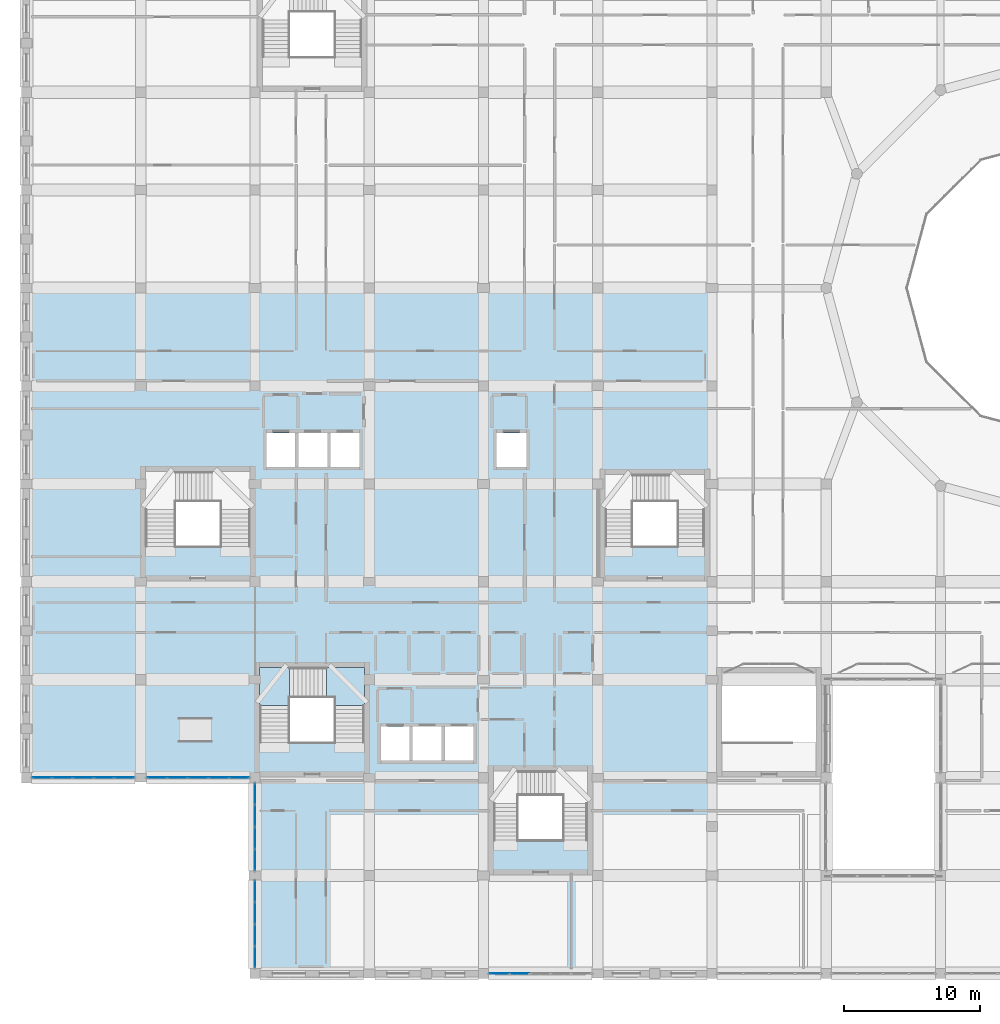
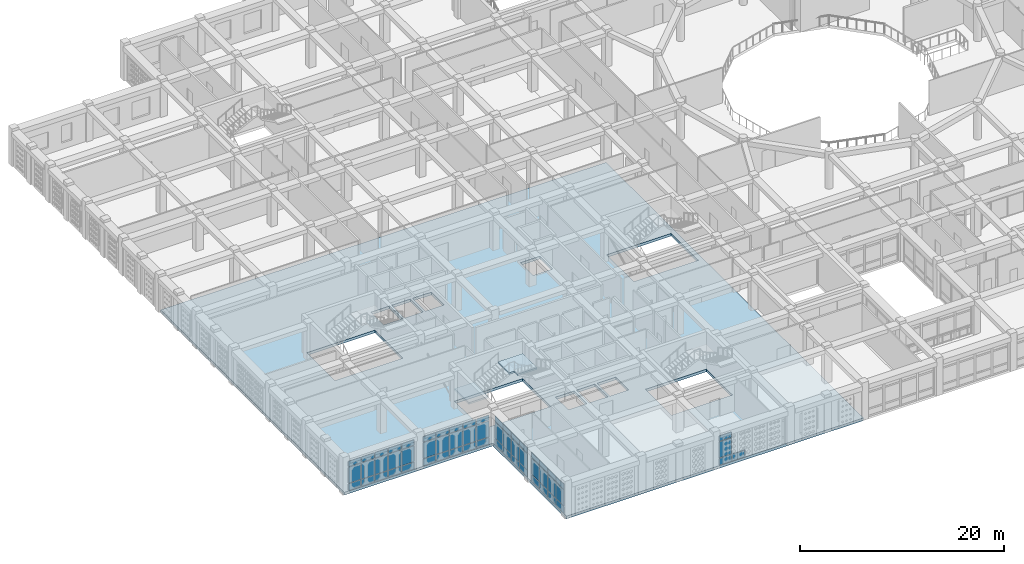
# One storey, part 62 of 121: 58 plates, 3 slabs, 6 elements without a shape of their own.
"""IFC4 building model written with IfcOpenShell, lengths in metres."""

from ifc_helpers import new_model, si_unit, derived_unit, direction, frame, origin, origin_2d, place, context, subcontext, project, spatial, polyline, rectangle, outline, extrude, material, layer, layer_set, type_object, element, aggregate, save


model = new_model("IFC4")

# Units and contexts
model_context = context("Model", 3, precision=1e-05, world=origin(), true_north=direction((0.0, 1.0)))
body_context = subcontext(model_context, "Body", "Model", "MODEL_VIEW")
ifc_project = project(units=[si_unit("LENGTHUNIT", "METRE"), si_unit("AREAUNIT", "SQUARE_METRE"), si_unit("VOLUMEUNIT", "CUBIC_METRE"), si_unit("PLANEANGLEUNIT", "RADIAN"), si_unit("MASSUNIT", "GRAM", prefix="KILO"), derived_unit("THERMALTRANSMITTANCEUNIT", [(si_unit("POWERUNIT", "WATT"), 1), (si_unit("LENGTHUNIT", "METRE"), -2), (si_unit("THERMODYNAMICTEMPERATUREUNIT", "KELVIN"), -1)])], contexts=[model_context])

# Site, building, storey
site_placement = place(None, origin())
site = spatial("IfcSite", under=ifc_project, at=site_placement, CompositionType="ELEMENT")
building_placement = place(site_placement, origin())
building = spatial("IfcBuilding", under=site, at=building_placement, Name="Veybourne Emporium", CompositionType="ELEMENT")
storey_placement = place(building_placement, frame((0.0, 0.0, 5.39990234375)))
storey = spatial("IfcBuildingStorey", under=building, at=storey_placement, Name="L01", CompositionType="ELEMENT", Elevation=5.39990234375)

# Curtain wall, plates
ifc_material_1 = material(Name="Patinated Architectural Bronze", Category="bronze")
curtain_wall_type_1 = type_object("IfcCurtainWallType", Name="CWSystem_CWS-26", PredefinedType="NOTDEFINED", material=ifc_material_1)
curtain_wall_1_placement = place(storey_placement, origin())
curtain_wall_1 = element("IfcCurtainWall", 1, at=curtain_wall_1_placement, inside=storey, type_object=curtain_wall_type_1, Name="L01 bronze glazed curtain wall CWS-26 (001)", PredefinedType="NOTDEFINED")
ifc_material_2 = material(Name="Low-E Triple Glazing", Category="glass")
ifc_layer_1 = layer(ifc_material_2, 0.028076171875)
ifc_layer_set_1 = layer_set([ifc_layer_1], Name="Low-E Triple Glazing")
plate_type = type_object("IfcPlateType", Name="CWPanel_CW-P1", PredefinedType="CURTAIN_PANEL", material=ifc_layer_set_1)
plate_1_placement = place(storey_placement, frame((7.1962890625, 14.39990234375, 0.074951171875), z_axis=(0.0, 0.0, 1.0), x_axis=(-1.0, 0.0, 0.0)))
plate_1 = element("IfcPlate", 2, at=plate_1_placement, type_object=plate_type, Name="CWS-26 panel 1.1", PredefinedType="CURTAIN_PANEL", context=body_context, shape_type="SweptSolid", body=[
    extrude(rectangle(XDim=1.407470703125, YDim=0.028076171875, at=origin_2d()), origin(), (0.0, 0.0, 1.0), 0.78759765625),
])
plate_2_placement = place(storey_placement, frame((7.1962890625, 14.39990234375, 0.9375), z_axis=(0.0, 0.0, 1.0), x_axis=(-1.0, 0.0, 0.0)))
plate_2 = element("IfcPlate", 3, at=plate_2_placement, type_object=plate_type, Name="CWS-26 panel 1.2", PredefinedType="CURTAIN_PANEL", context=body_context, shape_type="SweptSolid", body=[
    extrude(rectangle(XDim=1.407470703125, YDim=0.028076171875, at=origin_2d()), origin(), (0.0, 0.0, 1.0), 1.905029296875),
])
plate_3_placement = place(storey_placement, frame((7.1962890625, 14.39990234375, 2.91748046875), z_axis=(0.0, 0.0, 1.0), x_axis=(-1.0, 0.0, 0.0)))
plate_3 = element("IfcPlate", 4, at=plate_3_placement, type_object=plate_type, Name="CWS-26 panel 1.3", PredefinedType="CURTAIN_PANEL", context=body_context, shape_type="SweptSolid", body=[
    extrude(rectangle(XDim=1.407470703125, YDim=0.028076171875, at=origin_2d()), origin(), (0.0, 0.0, 1.0), 0.637451171875),
])
plate_4_placement = place(storey_placement, frame((5.695068359375, 14.39990234375, 0.074951171875), z_axis=(0.0, 0.0, 1.0), x_axis=(-1.0, 0.0, 0.0)))
plate_4 = element("IfcPlate", 5, at=plate_4_placement, type_object=plate_type, Name="CWS-26 panel 2.1", PredefinedType="CURTAIN_PANEL", context=body_context, shape_type="SweptSolid", body=[
    extrude(rectangle(XDim=1.445068359375, YDim=0.028076171875, at=origin_2d()), origin(), (0.0, 0.0, 1.0), 0.78759765625),
])
plate_5_placement = place(storey_placement, frame((5.695068359375, 14.39990234375, 0.9375), z_axis=(0.0, 0.0, 1.0), x_axis=(-1.0, 0.0, 0.0)))
plate_5 = element("IfcPlate", 6, at=plate_5_placement, type_object=plate_type, Name="CWS-26 panel 2.2", PredefinedType="CURTAIN_PANEL", context=body_context, shape_type="SweptSolid", body=[
    extrude(rectangle(XDim=1.445068359375, YDim=0.028076171875, at=origin_2d()), origin(), (0.0, 0.0, 1.0), 1.905029296875),
])
plate_6_placement = place(storey_placement, frame((5.695068359375, 14.39990234375, 2.91748046875), z_axis=(0.0, 0.0, 1.0), x_axis=(-1.0, 0.0, 0.0)))
plate_6 = element("IfcPlate", 7, at=plate_6_placement, type_object=plate_type, Name="CWS-26 panel 2.3", PredefinedType="CURTAIN_PANEL", context=body_context, shape_type="SweptSolid", body=[
    extrude(rectangle(XDim=1.445068359375, YDim=0.028076171875, at=origin_2d()), origin(), (0.0, 0.0, 1.0), 0.637451171875),
])
plate_7_placement = place(storey_placement, frame((4.175048828125, 14.39990234375, 0.074951171875), z_axis=(0.0, 0.0, 1.0), x_axis=(-1.0, 0.0, 0.0)))
plate_7 = element("IfcPlate", 8, at=plate_7_placement, type_object=plate_type, Name="CWS-26 panel 3.1", PredefinedType="CURTAIN_PANEL", context=body_context, shape_type="SweptSolid", body=[
    extrude(rectangle(XDim=1.445068359375, YDim=0.028076171875, at=origin_2d()), origin(), (0.0, 0.0, 1.0), 0.78759765625),
])
plate_8_placement = place(storey_placement, frame((4.175048828125, 14.39990234375, 0.9375), z_axis=(0.0, 0.0, 1.0), x_axis=(-1.0, 0.0, 0.0)))
plate_8 = element("IfcPlate", 9, at=plate_8_placement, type_object=plate_type, Name="CWS-26 panel 3.2", PredefinedType="CURTAIN_PANEL", context=body_context, shape_type="SweptSolid", body=[
    extrude(rectangle(XDim=1.445068359375, YDim=0.028076171875, at=origin_2d()), origin(), (0.0, 0.0, 1.0), 1.905029296875),
])
plate_9_placement = place(storey_placement, frame((4.175048828125, 14.39990234375, 2.91748046875), z_axis=(0.0, 0.0, 1.0), x_axis=(-1.0, 0.0, 0.0)))
plate_9 = element("IfcPlate", 10, at=plate_9_placement, type_object=plate_type, Name="CWS-26 panel 3.3", PredefinedType="CURTAIN_PANEL", context=body_context, shape_type="SweptSolid", body=[
    extrude(rectangle(XDim=1.445068359375, YDim=0.028076171875, at=origin_2d()), origin(), (0.0, 0.0, 1.0), 0.637451171875),
])
plate_10_placement = place(storey_placement, frame((2.655029296875, 14.39990234375, 0.074951171875), z_axis=(0.0, 0.0, 1.0), x_axis=(-1.0, 0.0, 0.0)))
plate_10 = element("IfcPlate", 11, at=plate_10_placement, type_object=plate_type, Name="CWS-26 panel 4.1", PredefinedType="CURTAIN_PANEL", context=body_context, shape_type="SweptSolid", body=[
    extrude(rectangle(XDim=1.445068359375, YDim=0.028076171875, at=origin_2d()), origin(), (0.0, 0.0, 1.0), 0.78759765625),
])
plate_11_placement = place(storey_placement, frame((2.655029296875, 14.39990234375, 0.9375), z_axis=(0.0, 0.0, 1.0), x_axis=(-1.0, 0.0, 0.0)))
plate_11 = element("IfcPlate", 12, at=plate_11_placement, type_object=plate_type, Name="CWS-26 panel 4.2", PredefinedType="CURTAIN_PANEL", context=body_context, shape_type="SweptSolid", body=[
    extrude(rectangle(XDim=1.445068359375, YDim=0.028076171875, at=origin_2d()), origin(), (0.0, 0.0, 1.0), 1.905029296875),
])
plate_12_placement = place(storey_placement, frame((2.655029296875, 14.39990234375, 2.91748046875), z_axis=(0.0, 0.0, 1.0), x_axis=(-1.0, 0.0, 0.0)))
plate_12 = element("IfcPlate", 13, at=plate_12_placement, type_object=plate_type, Name="CWS-26 panel 4.3", PredefinedType="CURTAIN_PANEL", context=body_context, shape_type="SweptSolid", body=[
    extrude(rectangle(XDim=1.445068359375, YDim=0.028076171875, at=origin_2d()), origin(), (0.0, 0.0, 1.0), 0.637451171875),
])
plate_13_placement = place(storey_placement, frame((1.15380859375, 14.39990234375, 0.074951171875), z_axis=(0.0, 0.0, 1.0), x_axis=(-1.0, 0.0, 0.0)))
plate_13 = element("IfcPlate", 14, at=plate_13_placement, type_object=plate_type, Name="CWS-26 panel 5.1", PredefinedType="CURTAIN_PANEL", context=body_context, shape_type="SweptSolid", body=[
    extrude(rectangle(XDim=1.407470703125, YDim=0.028076171875, at=origin_2d()), origin(), (0.0, 0.0, 1.0), 0.78759765625),
])
plate_14_placement = place(storey_placement, frame((1.15380859375, 14.39990234375, 0.9375), z_axis=(0.0, 0.0, 1.0), x_axis=(-1.0, 0.0, 0.0)))
plate_14 = element("IfcPlate", 15, at=plate_14_placement, type_object=plate_type, Name="CWS-26 panel 5.2", PredefinedType="CURTAIN_PANEL", context=body_context, shape_type="SweptSolid", body=[
    extrude(rectangle(XDim=1.407470703125, YDim=0.028076171875, at=origin_2d()), origin(), (0.0, 0.0, 1.0), 1.905029296875),
])
plate_15_placement = place(storey_placement, frame((1.15380859375, 14.39990234375, 2.91748046875), z_axis=(0.0, 0.0, 1.0), x_axis=(-1.0, 0.0, 0.0)))
plate_15 = element("IfcPlate", 16, at=plate_15_placement, type_object=plate_type, Name="CWS-26 panel 5.3", PredefinedType="CURTAIN_PANEL", context=body_context, shape_type="SweptSolid", body=[
    extrude(rectangle(XDim=1.407470703125, YDim=0.028076171875, at=origin_2d()), origin(), (0.0, 0.0, 1.0), 0.637451171875),
])
aggregate(curtain_wall_1, [plate_1, plate_2, plate_3, plate_4, plate_5, plate_6, plate_7, plate_8, plate_9, plate_10, plate_11, plate_12, plate_13, plate_14, plate_15])

curtain_wall_type_2 = type_object("IfcCurtainWallType", Name="CWSystem_CWS-27", PredefinedType="NOTDEFINED", material=ifc_material_1)
curtain_wall_2_placement = place(storey_placement, origin())
curtain_wall_2 = element("IfcCurtainWall", 17, at=curtain_wall_2_placement, inside=storey, type_object=curtain_wall_type_2, Name="L01 bronze glazed curtain wall CWS-27 (012)", PredefinedType="NOTDEFINED")
plate_16_placement = place(storey_placement, frame((15.6455078125, 14.39990234375, 0.078125), z_axis=(0.0, 0.0, 1.0), x_axis=(-1.0, 0.0, 0.0)))
plate_16 = element("IfcPlate", 18, at=plate_16_placement, type_object=plate_type, Name="CWS-27 panel 1.1", PredefinedType="CURTAIN_PANEL", context=body_context, shape_type="SweptSolid", body=[
    extrude(rectangle(XDim=1.403076171875, YDim=0.028076171875, at=origin_2d()), origin(), (0.0, 0.0, 1.0), 0.782958984375),
])
plate_17_placement = place(storey_placement, frame((15.6455078125, 14.39990234375, 0.93896484375), z_axis=(0.0, 0.0, 1.0), x_axis=(-1.0, 0.0, 0.0)))
plate_17 = element("IfcPlate", 19, at=plate_17_placement, type_object=plate_type, Name="CWS-27 panel 1.2", PredefinedType="CURTAIN_PANEL", context=body_context, shape_type="SweptSolid", body=[
    extrude(rectangle(XDim=1.403076171875, YDim=0.028076171875, at=origin_2d()), origin(), (0.0, 0.0, 1.0), 1.902099609375),
])
plate_18_placement = place(storey_placement, frame((15.6455078125, 14.39990234375, 2.9189453125), z_axis=(0.0, 0.0, 1.0), x_axis=(-1.0, 0.0, 0.0)))
plate_18 = element("IfcPlate", 20, at=plate_18_placement, type_object=plate_type, Name="CWS-27 panel 1.3", PredefinedType="CURTAIN_PANEL", context=body_context, shape_type="SweptSolid", body=[
    extrude(rectangle(XDim=1.403076171875, YDim=0.028076171875, at=origin_2d()), origin(), (0.0, 0.0, 1.0), 0.633056640625),
])
plate_19_placement = place(storey_placement, frame((14.14501953125, 14.39990234375, 0.078125), z_axis=(0.0, 0.0, 1.0), x_axis=(-1.0, 0.0, 0.0)))
plate_19 = element("IfcPlate", 21, at=plate_19_placement, type_object=plate_type, Name="CWS-27 panel 2.1", PredefinedType="CURTAIN_PANEL", context=body_context, shape_type="SweptSolid", body=[
    extrude(rectangle(XDim=1.44189453125, YDim=0.028076171875, at=origin_2d()), origin(), (0.0, 0.0, 1.0), 0.782958984375),
])
plate_20_placement = place(storey_placement, frame((14.14501953125, 14.39990234375, 0.93896484375), z_axis=(0.0, 0.0, 1.0), x_axis=(-1.0, 0.0, 0.0)))
plate_20 = element("IfcPlate", 22, at=plate_20_placement, type_object=plate_type, Name="CWS-27 panel 2.2", PredefinedType="CURTAIN_PANEL", context=body_context, shape_type="SweptSolid", body=[
    extrude(rectangle(XDim=1.44189453125, YDim=0.028076171875, at=origin_2d()), origin(), (0.0, 0.0, 1.0), 1.902099609375),
])
plate_21_placement = place(storey_placement, frame((14.14501953125, 14.39990234375, 2.9189453125), z_axis=(0.0, 0.0, 1.0), x_axis=(-1.0, 0.0, 0.0)))
plate_21 = element("IfcPlate", 23, at=plate_21_placement, type_object=plate_type, Name="CWS-27 panel 2.3", PredefinedType="CURTAIN_PANEL", context=body_context, shape_type="SweptSolid", body=[
    extrude(rectangle(XDim=1.44189453125, YDim=0.028076171875, at=origin_2d()), origin(), (0.0, 0.0, 1.0), 0.633056640625),
])
plate_22_placement = place(storey_placement, frame((12.625, 14.39990234375, 0.078125), z_axis=(0.0, 0.0, 1.0), x_axis=(-1.0, 0.0, 0.0)))
plate_22 = element("IfcPlate", 24, at=plate_22_placement, type_object=plate_type, Name="CWS-27 panel 3.1", PredefinedType="CURTAIN_PANEL", context=body_context, shape_type="SweptSolid", body=[
    extrude(rectangle(XDim=1.44189453125, YDim=0.028076171875, at=origin_2d()), origin(), (0.0, 0.0, 1.0), 0.782958984375),
])
plate_23_placement = place(storey_placement, frame((12.625, 14.39990234375, 0.93896484375), z_axis=(0.0, 0.0, 1.0), x_axis=(-1.0, 0.0, 0.0)))
plate_23 = element("IfcPlate", 25, at=plate_23_placement, type_object=plate_type, Name="CWS-27 panel 3.2", PredefinedType="CURTAIN_PANEL", context=body_context, shape_type="SweptSolid", body=[
    extrude(rectangle(XDim=1.44189453125, YDim=0.028076171875, at=origin_2d()), origin(), (0.0, 0.0, 1.0), 1.902099609375),
])
plate_24_placement = place(storey_placement, frame((12.625, 14.39990234375, 2.9189453125), z_axis=(0.0, 0.0, 1.0), x_axis=(-1.0, 0.0, 0.0)))
plate_24 = element("IfcPlate", 26, at=plate_24_placement, type_object=plate_type, Name="CWS-27 panel 3.3", PredefinedType="CURTAIN_PANEL", context=body_context, shape_type="SweptSolid", body=[
    extrude(rectangle(XDim=1.44189453125, YDim=0.028076171875, at=origin_2d()), origin(), (0.0, 0.0, 1.0), 0.633056640625),
])
plate_25_placement = place(storey_placement, frame((11.10498046875, 14.39990234375, 0.078125), z_axis=(0.0, 0.0, 1.0), x_axis=(-1.0, 0.0, 0.0)))
plate_25 = element("IfcPlate", 27, at=plate_25_placement, type_object=plate_type, Name="CWS-27 panel 4.1", PredefinedType="CURTAIN_PANEL", context=body_context, shape_type="SweptSolid", body=[
    extrude(rectangle(XDim=1.44189453125, YDim=0.028076171875, at=origin_2d()), origin(), (0.0, 0.0, 1.0), 0.782958984375),
])
plate_26_placement = place(storey_placement, frame((11.10498046875, 14.39990234375, 0.93896484375), z_axis=(0.0, 0.0, 1.0), x_axis=(-1.0, 0.0, 0.0)))
plate_26 = element("IfcPlate", 28, at=plate_26_placement, type_object=plate_type, Name="CWS-27 panel 4.2", PredefinedType="CURTAIN_PANEL", context=body_context, shape_type="SweptSolid", body=[
    extrude(rectangle(XDim=1.44189453125, YDim=0.028076171875, at=origin_2d()), origin(), (0.0, 0.0, 1.0), 1.902099609375),
])
plate_27_placement = place(storey_placement, frame((11.10498046875, 14.39990234375, 2.9189453125), z_axis=(0.0, 0.0, 1.0), x_axis=(-1.0, 0.0, 0.0)))
plate_27 = element("IfcPlate", 29, at=plate_27_placement, type_object=plate_type, Name="CWS-27 panel 4.3", PredefinedType="CURTAIN_PANEL", context=body_context, shape_type="SweptSolid", body=[
    extrude(rectangle(XDim=1.44189453125, YDim=0.028076171875, at=origin_2d()), origin(), (0.0, 0.0, 1.0), 0.633056640625),
])
plate_28_placement = place(storey_placement, frame((9.6044921875, 14.39990234375, 0.078125), z_axis=(0.0, 0.0, 1.0), x_axis=(-1.0, 0.0, 0.0)))
plate_28 = element("IfcPlate", 30, at=plate_28_placement, type_object=plate_type, Name="CWS-27 panel 5.1", PredefinedType="CURTAIN_PANEL", context=body_context, shape_type="SweptSolid", body=[
    extrude(rectangle(XDim=1.403076171875, YDim=0.028076171875, at=origin_2d()), origin(), (0.0, 0.0, 1.0), 0.782958984375),
])
plate_29_placement = place(storey_placement, frame((9.6044921875, 14.39990234375, 0.93896484375), z_axis=(0.0, 0.0, 1.0), x_axis=(-1.0, 0.0, 0.0)))
plate_29 = element("IfcPlate", 31, at=plate_29_placement, type_object=plate_type, Name="CWS-27 panel 5.2", PredefinedType="CURTAIN_PANEL", context=body_context, shape_type="SweptSolid", body=[
    extrude(rectangle(XDim=1.403076171875, YDim=0.028076171875, at=origin_2d()), origin(), (0.0, 0.0, 1.0), 1.902099609375),
])
plate_30_placement = place(storey_placement, frame((9.6044921875, 14.39990234375, 2.9189453125), z_axis=(0.0, 0.0, 1.0), x_axis=(-1.0, 0.0, 0.0)))
plate_30 = element("IfcPlate", 32, at=plate_30_placement, type_object=plate_type, Name="CWS-27 panel 5.3", PredefinedType="CURTAIN_PANEL", context=body_context, shape_type="SweptSolid", body=[
    extrude(rectangle(XDim=1.403076171875, YDim=0.028076171875, at=origin_2d()), origin(), (0.0, 0.0, 1.0), 0.633056640625),
])
aggregate(curtain_wall_2, [plate_16, plate_17, plate_18, plate_19, plate_20, plate_21, plate_22, plate_23, plate_24, plate_25, plate_26, plate_27, plate_28, plate_29, plate_30])

curtain_wall_type_3 = type_object("IfcCurtainWallType", Name="CWSystem_CWS-28", PredefinedType="NOTDEFINED", material=ifc_material_1)
curtain_wall_3_placement = place(storey_placement, origin())
curtain_wall_3 = element("IfcCurtainWall", 33, at=curtain_wall_3_placement, inside=storey, type_object=curtain_wall_type_3, Name="L01 bronze glazed curtain wall CWS-28 (015)", PredefinedType="NOTDEFINED")
plate_31_placement = place(storey_placement, frame((16.800048828125, 1.205078125, 0.070068359375), z_axis=(0.0, 0.0, 1.0), x_axis=(0.0, 1.0, 0.0)))
plate_31 = element("IfcPlate", 34, at=plate_31_placement, type_object=plate_type, Name="CWS-28 panel 1.1", PredefinedType="CURTAIN_PANEL", context=body_context, shape_type="SweptSolid", body=[
    extrude(rectangle(XDim=1.52001953125, YDim=0.028076171875, at=origin_2d()), origin(), (0.0, 0.0, 1.0), 0.794921875),
])
plate_32_placement = place(storey_placement, frame((16.800048828125, 1.205078125, 0.93505859375), z_axis=(0.0, 0.0, 1.0), x_axis=(0.0, 1.0, 0.0)))
plate_32 = element("IfcPlate", 35, at=plate_32_placement, type_object=plate_type, Name="CWS-28 panel 1.2", PredefinedType="CURTAIN_PANEL", context=body_context, shape_type="SweptSolid", body=[
    extrude(rectangle(XDim=1.52001953125, YDim=0.028076171875, at=origin_2d()), origin(), (0.0, 0.0, 1.0), 1.909912109375),
])
plate_33_placement = place(storey_placement, frame((16.800048828125, 1.205078125, 2.9150390625), z_axis=(0.0, 0.0, 1.0), x_axis=(0.0, 1.0, 0.0)))
plate_33 = element("IfcPlate", 36, at=plate_33_placement, type_object=plate_type, Name="CWS-28 panel 1.3", PredefinedType="CURTAIN_PANEL", context=body_context, shape_type="SweptSolid", body=[
    extrude(rectangle(XDim=1.52001953125, YDim=0.028076171875, at=origin_2d()), origin(), (0.0, 0.0, 1.0), 0.64501953125),
])
plate_34_placement = place(storey_placement, frame((16.800048828125, 2.8125, 0.070068359375), z_axis=(0.0, 0.0, 1.0), x_axis=(0.0, 1.0, 0.0)))
plate_34 = element("IfcPlate", 37, at=plate_34_placement, type_object=plate_type, Name="CWS-28 panel 2.1", PredefinedType="CURTAIN_PANEL", context=body_context, shape_type="SweptSolid", body=[
    extrude(rectangle(XDim=1.554931640625, YDim=0.028076171875, at=origin_2d()), origin(), (0.0, 0.0, 1.0), 0.794921875),
])
plate_35_placement = place(storey_placement, frame((16.800048828125, 2.8125, 0.93505859375), z_axis=(0.0, 0.0, 1.0), x_axis=(0.0, 1.0, 0.0)))
plate_35 = element("IfcPlate", 38, at=plate_35_placement, type_object=plate_type, Name="CWS-28 panel 2.2", PredefinedType="CURTAIN_PANEL", context=body_context, shape_type="SweptSolid", body=[
    extrude(rectangle(XDim=1.554931640625, YDim=0.028076171875, at=origin_2d()), origin(), (0.0, 0.0, 1.0), 1.909912109375),
])
plate_36_placement = place(storey_placement, frame((16.800048828125, 2.8125, 2.9150390625), z_axis=(0.0, 0.0, 1.0), x_axis=(0.0, 1.0, 0.0)))
plate_36 = element("IfcPlate", 39, at=plate_36_placement, type_object=plate_type, Name="CWS-28 panel 2.3", PredefinedType="CURTAIN_PANEL", context=body_context, shape_type="SweptSolid", body=[
    extrude(rectangle(XDim=1.554931640625, YDim=0.028076171875, at=origin_2d()), origin(), (0.0, 0.0, 1.0), 0.64501953125),
])
plate_37_placement = place(storey_placement, frame((16.800048828125, 4.4375, 0.070068359375), z_axis=(0.0, 0.0, 1.0), x_axis=(0.0, 1.0, 0.0)))
plate_37 = element("IfcPlate", 40, at=plate_37_placement, type_object=plate_type, Name="CWS-28 panel 3.1", PredefinedType="CURTAIN_PANEL", context=body_context, shape_type="SweptSolid", body=[
    extrude(rectangle(XDim=1.554931640625, YDim=0.028076171875, at=origin_2d()), origin(), (0.0, 0.0, 1.0), 0.794921875),
])
plate_38_placement = place(storey_placement, frame((16.800048828125, 4.4375, 0.93505859375), z_axis=(0.0, 0.0, 1.0), x_axis=(0.0, 1.0, 0.0)))
plate_38 = element("IfcPlate", 41, at=plate_38_placement, type_object=plate_type, Name="CWS-28 panel 3.2", PredefinedType="CURTAIN_PANEL", context=body_context, shape_type="SweptSolid", body=[
    extrude(rectangle(XDim=1.554931640625, YDim=0.028076171875, at=origin_2d()), origin(), (0.0, 0.0, 1.0), 1.909912109375),
])
plate_39_placement = place(storey_placement, frame((16.800048828125, 4.4375, 2.9150390625), z_axis=(0.0, 0.0, 1.0), x_axis=(0.0, 1.0, 0.0)))
plate_39 = element("IfcPlate", 42, at=plate_39_placement, type_object=plate_type, Name="CWS-28 panel 3.3", PredefinedType="CURTAIN_PANEL", context=body_context, shape_type="SweptSolid", body=[
    extrude(rectangle(XDim=1.554931640625, YDim=0.028076171875, at=origin_2d()), origin(), (0.0, 0.0, 1.0), 0.64501953125),
])
plate_40_placement = place(storey_placement, frame((16.800048828125, 6.044921875, 0.070068359375), z_axis=(0.0, 0.0, 1.0), x_axis=(0.0, 1.0, 0.0)))
plate_40 = element("IfcPlate", 43, at=plate_40_placement, type_object=plate_type, Name="CWS-28 panel 4.1", PredefinedType="CURTAIN_PANEL", context=body_context, shape_type="SweptSolid", body=[
    extrude(rectangle(XDim=1.52001953125, YDim=0.028076171875, at=origin_2d()), origin(), (0.0, 0.0, 1.0), 0.794921875),
])
plate_41_placement = place(storey_placement, frame((16.800048828125, 6.044921875, 0.93505859375), z_axis=(0.0, 0.0, 1.0), x_axis=(0.0, 1.0, 0.0)))
plate_41 = element("IfcPlate", 44, at=plate_41_placement, type_object=plate_type, Name="CWS-28 panel 4.2", PredefinedType="CURTAIN_PANEL", context=body_context, shape_type="SweptSolid", body=[
    extrude(rectangle(XDim=1.52001953125, YDim=0.028076171875, at=origin_2d()), origin(), (0.0, 0.0, 1.0), 1.909912109375),
])
plate_42_placement = place(storey_placement, frame((16.800048828125, 6.044921875, 2.9150390625), z_axis=(0.0, 0.0, 1.0), x_axis=(0.0, 1.0, 0.0)))
plate_42 = element("IfcPlate", 45, at=plate_42_placement, type_object=plate_type, Name="CWS-28 panel 4.3", PredefinedType="CURTAIN_PANEL", context=body_context, shape_type="SweptSolid", body=[
    extrude(rectangle(XDim=1.52001953125, YDim=0.028076171875, at=origin_2d()), origin(), (0.0, 0.0, 1.0), 0.64501953125),
])
aggregate(curtain_wall_3, [plate_31, plate_32, plate_33, plate_34, plate_35, plate_36, plate_37, plate_38, plate_39, plate_40, plate_41, plate_42])

curtain_wall_type_4 = type_object("IfcCurtainWallType", Name="CWSystem_CWS-01", PredefinedType="NOTDEFINED", material=ifc_material_1)
curtain_wall_4_placement = place(storey_placement, origin())
curtain_wall_4 = element("IfcCurtainWall", 46, at=curtain_wall_4_placement, inside=storey, type_object=curtain_wall_type_4, Name="L01 bronze glazed curtain wall CWS-01 (016)", PredefinedType="NOTDEFINED")
plate_43_placement = place(storey_placement, frame((16.800048828125, 8.35546875, 0.072021484375), z_axis=(0.0, 0.0, 1.0), x_axis=(0.0, 1.0, 0.0)))
plate_43 = element("IfcPlate", 47, at=plate_43_placement, type_object=plate_type, Name="CWS-01 panel 1.1", PredefinedType="CURTAIN_PANEL", context=body_context, shape_type="SweptSolid", body=[
    extrude(rectangle(XDim=1.51708984375, YDim=0.028076171875, at=origin_2d()), origin(), (0.0, 0.0, 1.0), 0.7919921875),
])
plate_44_placement = place(storey_placement, frame((16.800048828125, 8.35546875, 0.93603515625), z_axis=(0.0, 0.0, 1.0), x_axis=(0.0, 1.0, 0.0)))
plate_44 = element("IfcPlate", 48, at=plate_44_placement, type_object=plate_type, Name="CWS-01 panel 1.2", PredefinedType="CURTAIN_PANEL", context=body_context, shape_type="SweptSolid", body=[
    extrude(rectangle(XDim=1.51708984375, YDim=0.028076171875, at=origin_2d()), origin(), (0.0, 0.0, 1.0), 1.907958984375),
])
plate_45_placement = place(storey_placement, frame((16.800048828125, 8.35546875, 2.916015625), z_axis=(0.0, 0.0, 1.0), x_axis=(0.0, 1.0, 0.0)))
plate_45 = element("IfcPlate", 49, at=plate_45_placement, type_object=plate_type, Name="CWS-01 panel 1.3", PredefinedType="CURTAIN_PANEL", context=body_context, shape_type="SweptSolid", body=[
    extrude(rectangle(XDim=1.51708984375, YDim=0.028076171875, at=origin_2d()), origin(), (0.0, 0.0, 1.0), 0.64208984375),
])
plate_46_placement = place(storey_placement, frame((16.800048828125, 9.96240234375, 0.072021484375), z_axis=(0.0, 0.0, 1.0), x_axis=(0.0, 1.0, 0.0)))
plate_46 = element("IfcPlate", 50, at=plate_46_placement, type_object=plate_type, Name="CWS-01 panel 2.1", PredefinedType="CURTAIN_PANEL", context=body_context, shape_type="SweptSolid", body=[
    extrude(rectangle(XDim=1.552978515625, YDim=0.028076171875, at=origin_2d()), origin(), (0.0, 0.0, 1.0), 0.7919921875),
])
plate_47_placement = place(storey_placement, frame((16.800048828125, 9.96240234375, 0.93603515625), z_axis=(0.0, 0.0, 1.0), x_axis=(0.0, 1.0, 0.0)))
plate_47 = element("IfcPlate", 51, at=plate_47_placement, type_object=plate_type, Name="CWS-01 panel 2.2", PredefinedType="CURTAIN_PANEL", context=body_context, shape_type="SweptSolid", body=[
    extrude(rectangle(XDim=1.552978515625, YDim=0.028076171875, at=origin_2d()), origin(), (0.0, 0.0, 1.0), 1.907958984375),
])
plate_48_placement = place(storey_placement, frame((16.800048828125, 9.96240234375, 2.916015625), z_axis=(0.0, 0.0, 1.0), x_axis=(0.0, 1.0, 0.0)))
plate_48 = element("IfcPlate", 52, at=plate_48_placement, type_object=plate_type, Name="CWS-01 panel 2.3", PredefinedType="CURTAIN_PANEL", context=body_context, shape_type="SweptSolid", body=[
    extrude(rectangle(XDim=1.552978515625, YDim=0.028076171875, at=origin_2d()), origin(), (0.0, 0.0, 1.0), 0.64208984375),
])
plate_49_placement = place(storey_placement, frame((16.800048828125, 11.58740234375, 0.072021484375), z_axis=(0.0, 0.0, 1.0), x_axis=(0.0, 1.0, 0.0)))
plate_49 = element("IfcPlate", 53, at=plate_49_placement, type_object=plate_type, Name="CWS-01 panel 3.1", PredefinedType="CURTAIN_PANEL", context=body_context, shape_type="SweptSolid", body=[
    extrude(rectangle(XDim=1.552978515625, YDim=0.028076171875, at=origin_2d()), origin(), (0.0, 0.0, 1.0), 0.7919921875),
])
plate_50_placement = place(storey_placement, frame((16.800048828125, 11.58740234375, 0.93603515625), z_axis=(0.0, 0.0, 1.0), x_axis=(0.0, 1.0, 0.0)))
plate_50 = element("IfcPlate", 54, at=plate_50_placement, type_object=plate_type, Name="CWS-01 panel 3.2", PredefinedType="CURTAIN_PANEL", context=body_context, shape_type="SweptSolid", body=[
    extrude(rectangle(XDim=1.552978515625, YDim=0.028076171875, at=origin_2d()), origin(), (0.0, 0.0, 1.0), 1.907958984375),
])
plate_51_placement = place(storey_placement, frame((16.800048828125, 11.58740234375, 2.916015625), z_axis=(0.0, 0.0, 1.0), x_axis=(0.0, 1.0, 0.0)))
plate_51 = element("IfcPlate", 55, at=plate_51_placement, type_object=plate_type, Name="CWS-01 panel 3.3", PredefinedType="CURTAIN_PANEL", context=body_context, shape_type="SweptSolid", body=[
    extrude(rectangle(XDim=1.552978515625, YDim=0.028076171875, at=origin_2d()), origin(), (0.0, 0.0, 1.0), 0.64208984375),
])
plate_52_placement = place(storey_placement, frame((16.800048828125, 13.194580078125, 0.072021484375), z_axis=(0.0, 0.0, 1.0), x_axis=(0.0, 1.0, 0.0)))
plate_52 = element("IfcPlate", 56, at=plate_52_placement, type_object=plate_type, Name="CWS-01 panel 4.1", PredefinedType="CURTAIN_PANEL", context=body_context, shape_type="SweptSolid", body=[
    extrude(rectangle(XDim=1.51708984375, YDim=0.028076171875, at=origin_2d()), origin(), (0.0, 0.0, 1.0), 0.7919921875),
])
plate_53_placement = place(storey_placement, frame((16.800048828125, 13.194580078125, 0.93603515625), z_axis=(0.0, 0.0, 1.0), x_axis=(0.0, 1.0, 0.0)))
plate_53 = element("IfcPlate", 57, at=plate_53_placement, type_object=plate_type, Name="CWS-01 panel 4.2", PredefinedType="CURTAIN_PANEL", context=body_context, shape_type="SweptSolid", body=[
    extrude(rectangle(XDim=1.51708984375, YDim=0.028076171875, at=origin_2d()), origin(), (0.0, 0.0, 1.0), 1.907958984375),
])
plate_54_placement = place(storey_placement, frame((16.800048828125, 13.194580078125, 2.916015625), z_axis=(0.0, 0.0, 1.0), x_axis=(0.0, 1.0, 0.0)))
plate_54 = element("IfcPlate", 58, at=plate_54_placement, type_object=plate_type, Name="CWS-01 panel 4.3", PredefinedType="CURTAIN_PANEL", context=body_context, shape_type="SweptSolid", body=[
    extrude(rectangle(XDim=1.51708984375, YDim=0.028076171875, at=origin_2d()), origin(), (0.0, 0.0, 1.0), 0.64208984375),
])
aggregate(curtain_wall_4, [plate_43, plate_44, plate_45, plate_46, plate_47, plate_48, plate_49, plate_50, plate_51, plate_52, plate_53, plate_54])

curtain_wall_type_5 = type_object("IfcCurtainWallType", Name="CWSystem_CWS-03", PredefinedType="NOTDEFINED", material=ifc_material_1)
curtain_wall_5_placement = place(storey_placement, origin())
curtain_wall_5 = element("IfcCurtainWall", 59, at=curtain_wall_5_placement, inside=storey, type_object=curtain_wall_type_5, Name="L01 bronze glazed curtain wall CWS-03 (021)", PredefinedType="NOTDEFINED")
plate_55_placement = place(storey_placement, frame((36.2548828125, 0.0, 0.078125), z_axis=(0.0, 0.0, 1.0), x_axis=(-1.0, 0.0, 0.0)))
plate_55 = element("IfcPlate", 60, at=plate_55_placement, type_object=plate_type, Name="CWS-03 panel 4.1", PredefinedType="CURTAIN_PANEL", context=body_context, shape_type="SweptSolid", body=[
    extrude(rectangle(XDim=1.44189453125, YDim=0.028076171875, at=origin_2d()), origin(), (0.0, 0.0, 1.0), 0.782958984375),
])
plate_56_placement = place(storey_placement, frame((34.75439453125, 0.0, 0.078125), z_axis=(0.0, 0.0, 1.0), x_axis=(-1.0, 0.0, 0.0)))
plate_56 = element("IfcPlate", 61, at=plate_56_placement, type_object=plate_type, Name="CWS-03 panel 5.1", PredefinedType="CURTAIN_PANEL", context=body_context, shape_type="SweptSolid", body=[
    extrude(rectangle(XDim=1.403076171875, YDim=0.028076171875, at=origin_2d()), origin(), (0.0, 0.0, 1.0), 0.782958984375),
])
plate_57_placement = place(storey_placement, frame((34.75439453125, 0.0, 0.93896484375), z_axis=(0.0, 0.0, 1.0), x_axis=(-1.0, 0.0, 0.0)))
plate_57 = element("IfcPlate", 62, at=plate_57_placement, type_object=plate_type, Name="CWS-03 panel 5.2", PredefinedType="CURTAIN_PANEL", context=body_context, shape_type="SweptSolid", body=[
    extrude(rectangle(XDim=1.403076171875, YDim=0.028076171875, at=origin_2d()), origin(), (0.0, 0.0, 1.0), 1.902099609375),
])
plate_58_placement = place(storey_placement, frame((34.75439453125, 0.0, 2.9189453125), z_axis=(0.0, 0.0, 1.0), x_axis=(-1.0, 0.0, 0.0)))
plate_58 = element("IfcPlate", 63, at=plate_58_placement, type_object=plate_type, Name="CWS-03 panel 5.3", PredefinedType="CURTAIN_PANEL", context=body_context, shape_type="SweptSolid", body=[
    extrude(rectangle(XDim=1.403076171875, YDim=0.028076171875, at=origin_2d()), origin(), (0.0, 0.0, 1.0), 0.633056640625),
])
aggregate(curtain_wall_5, [plate_55, plate_56, plate_57, plate_58])

# Stair, slabs
ifc_material_3 = material(Name="Concrete C32/40", Category="concrete")
stair_type = type_object("IfcStairType", Name="Stair_ST-01-R30", PredefinedType="TWO_QUARTER_TURN_STAIR", material=ifc_material_3)
stair_placement = place(storey_placement, origin())
stair = element("IfcStair", 64, at=stair_placement, inside=storey, type_object=stair_type, Name="L01 stair ST-01", PredefinedType="TWO_QUARTER_TURN_STAIR")
ifc_layer_2 = layer(ifc_material_3, 0.199951171875)
ifc_layer_set_2 = layer_set([ifc_layer_2], Name="Concrete C32/40")
slab_type_1 = type_object("IfcSlabType", Name="Landing_LDG-01", PredefinedType="LANDING", material=ifc_layer_set_2)
slab_1_placement = place(storey_placement, frame((0.0, 0.0, 1.300048828125)))
slab_1 = element("IfcSlab", 65, at=slab_1_placement, type_object=slab_type_1, Name="ST-01-R30 landing 1", PredefinedType="LANDING", context=body_context, shape_type="SweptSolid", body=[
    extrude(outline(polyline([(17.14990234375, 19.699951171875), (19.35009765625, 19.699951171875), (19.35009765625, 22.5), (17.14990234375, 22.5), (17.14990234375, 19.699951171875)])), origin(), (0.0, 0.0, 1.0), 0.199951171875),
])
slab_2_placement = place(storey_placement, frame((0.0, 0.0, 2.800048828125)))
slab_2 = element("IfcSlab", 66, at=slab_2_placement, type_object=slab_type_1, Name="ST-01-R30 landing 2", PredefinedType="LANDING", context=body_context, shape_type="SweptSolid", body=[
    extrude(outline(polyline([(22.050048828125, 20.300048828125), (22.64990234375, 20.300048828125), (22.64990234375, 19.699951171875), (24.85009765625, 19.699951171875), (24.85009765625, 22.5), (22.050048828125, 22.5), (22.050048828125, 20.300048828125)])), origin(), (0.0, 0.0, 1.0), 0.199951171875),
])
aggregate(stair, [slab_1, slab_2])

# Slab
ifc_layer_3 = layer(ifc_material_3, 0.320068359375)
ifc_layer_set_3 = layer_set([ifc_layer_3], Name="Concrete C32/40")
slab_type_2 = type_object("IfcSlabType", Name="Slab_FS-02", PredefinedType="FLOOR", material=ifc_layer_set_3)
slab_3_placement = place(storey_placement, frame((0.0, 0.0, -0.31982421875)))
element("IfcSlab", 67, at=slab_3_placement, inside=storey, type_object=slab_type_2, Name="L01 floor slab FS-02 (V1.1)", PredefinedType="FLOOR", context=body_context, shape_type="SweptSolid", body=[
    extrude(outline(polyline([(0.0, 14.39990234375), (0.0, 21.60009765625), (0.0, 28.800048828125), (0.0, 36.0), (0.0, 43.199951171875), (0.0, 50.39990234375), (8.39990234375, 50.39990234375), (16.800048828125, 50.39990234375), (25.199951171875, 50.39990234375), (33.60009765625, 50.39990234375), (42.0, 50.39990234375), (50.39990234375, 50.39990234375), (50.39990234375, 43.199951171875), (50.39990234375, 36.0), (50.39990234375, 28.800048828125), (50.39990234375, 21.60009765625), (50.39990234375, 14.39990234375), (50.39990234375, 7.199951171875), (50.39990234375, 0.0), (42.0, 0.0), (33.60009765625, 0.0), (25.199951171875, 0.0), (16.800048828125, 0.0), (16.800048828125, 7.199951171875), (16.800048828125, 14.39990234375), (8.39990234375, 14.39990234375), (0.0, 14.39990234375)]), holes=[polyline([(41.25, 9.800048828125), (41.25, 14.89990234375), (34.35009765625, 14.89990234375), (34.35009765625, 9.800048828125), (41.25, 9.800048828125)]), polyline([(26.06005859375, 15.64990234375), (28.159912109375, 15.64990234375), (28.159912109375, 18.14990234375), (26.06005859375, 18.14990234375), (26.06005859375, 15.64990234375)]), polyline([(28.39990234375, 15.64990234375), (30.52001953125, 15.64990234375), (30.52001953125, 18.14990234375), (28.39990234375, 18.14990234375), (28.39990234375, 15.64990234375)]), polyline([(32.8798828125, 15.64990234375), (32.8798828125, 18.14990234375), (30.760009765625, 18.14990234375), (30.760009765625, 15.64990234375), (32.8798828125, 15.64990234375)]), polyline([(17.14990234375, 17.0), (24.85009765625, 17.0), (24.85009765625, 22.5), (17.14990234375, 22.5), (17.14990234375, 17.0)]), polyline([(49.85009765625, 31.39990234375), (49.85009765625, 36.699951171875), (42.550048828125, 36.699951171875), (42.550048828125, 31.39990234375), (49.85009765625, 31.39990234375)]), polyline([(8.75, 31.39990234375), (16.449951171875, 31.39990234375), (16.449951171875, 36.89990234375), (8.75, 36.89990234375), (8.75, 31.39990234375)]), polyline([(17.659912109375, 37.25), (19.760009765625, 37.25), (19.760009765625, 39.75), (17.659912109375, 39.75), (17.659912109375, 37.25)]), polyline([(20.0, 37.25), (22.1201171875, 37.25), (22.1201171875, 39.75), (20.0, 39.75), (20.0, 37.25)]), polyline([(22.360107421875, 37.25), (24.47998046875, 37.25), (24.47998046875, 39.75), (22.360107421875, 39.75), (22.360107421875, 37.25)]), polyline([(34.56005859375, 37.25), (36.760009765625, 37.25), (36.760009765625, 39.75), (34.56005859375, 39.75), (34.56005859375, 37.25)])]), origin(), (0.0, 0.0, 1.0), 0.31982421875),
])

save(model, "model.ifc")
